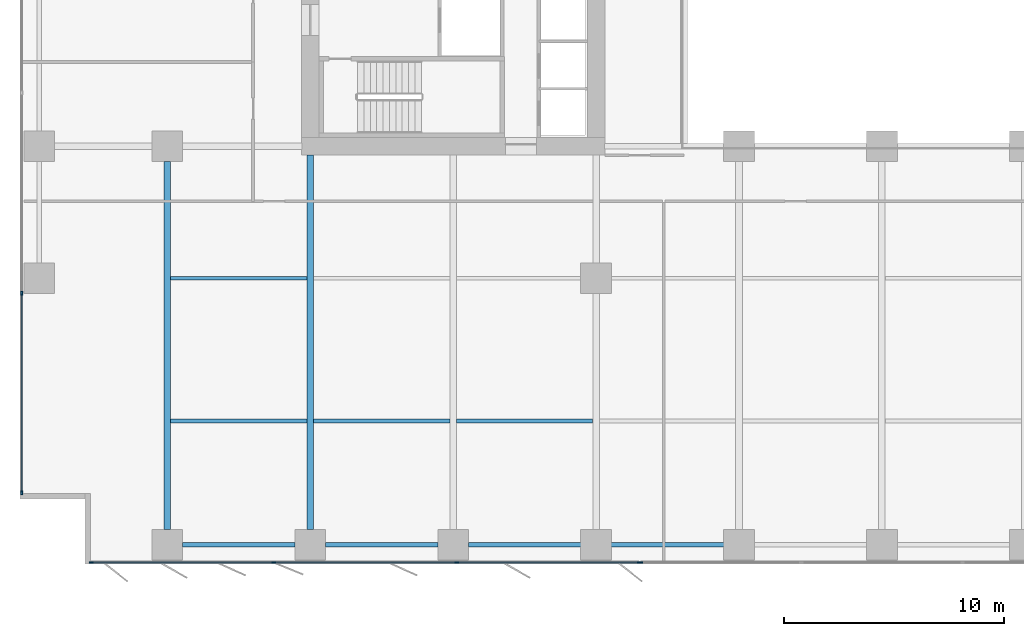
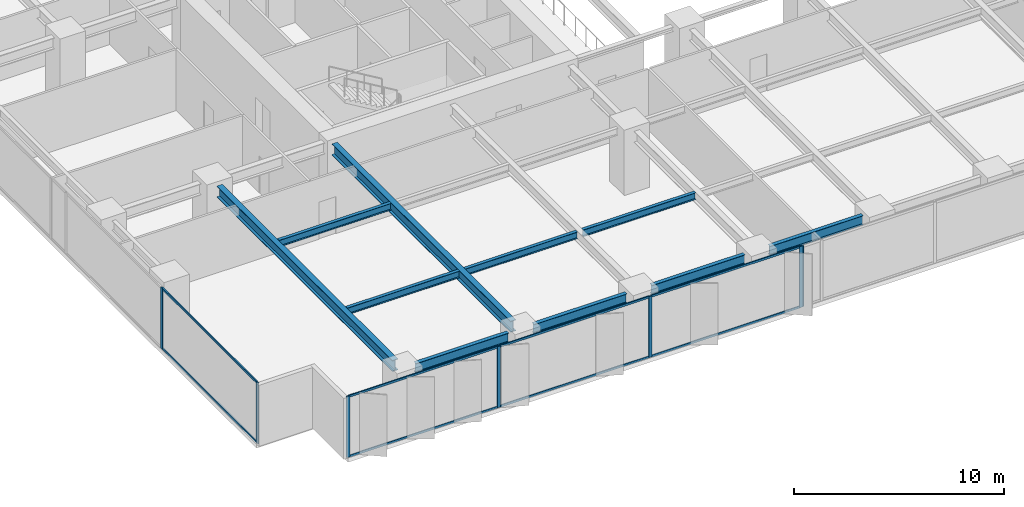
# One storey, part 2 of 20: 15 members, 10 beams, 3 elements without a shape of their own.
"""IFC4 building model written with IfcOpenShell, lengths in metres."""

from ifc_helpers import new_model, si_unit, direction, frame, origin, origin_2d, place, context, subcontext, project, spatial, rectangle, i_section, extrude, material, layer, layer_set, material_profile, profile_set, type_object, element, aggregate, save


model = new_model("IFC4")

# Units and contexts
model_context = context("Model", 3, precision=1e-05, world=origin(), true_north=direction((0.0, 1.0)))
body_context = subcontext(model_context, "Body", "Model", "MODEL_VIEW")
ifc_project = project(units=[si_unit("LENGTHUNIT", "METRE"), si_unit("AREAUNIT", "SQUARE_METRE"), si_unit("VOLUMEUNIT", "CUBIC_METRE"), si_unit("PLANEANGLEUNIT", "RADIAN"), si_unit("MASSUNIT", "GRAM", prefix="KILO")], contexts=[model_context])

# Site, building, storey
site_placement = place(None, origin())
site = spatial("IfcSite", under=ifc_project, at=site_placement, CompositionType="ELEMENT")
building_placement = place(site_placement, origin())
building = spatial("IfcBuilding", under=site, at=building_placement, Name="Putna Gate Headquarters", CompositionType="ELEMENT")
storey_placement = place(building_placement, frame((0.0, 0.0, 54.39990234375)))
storey = spatial("IfcBuildingStorey", under=building, at=storey_placement, Name="L12", CompositionType="ELEMENT", Elevation=54.39990234375)

# Beams
ifc_material_1 = material(Name="Steel S355J2", Category="steel")
ifc_material_profile_1 = material_profile(ifc_material_1, i_section(OverallWidth=0.300048828125, OverallDepth=0.64990234375, WebThickness=0.01611328125, FlangeThickness=0.031005859375, at=origin_2d()), Name="Steel S355J2")
ifc_profile_set_1 = profile_set([ifc_material_profile_1], Name="Steel S355J2")
beam_type_1 = type_object("IfcBeamType", Name="BM-GIRD-Z1-HEB650", PredefinedType="USERDEFINED", material=ifc_profile_set_1)
beam_1_placement = place(storey_placement, frame((6.5, 1.568115234375, 3.22509765625), z_axis=(0.0, 1.0, 0.0), x_axis=(-1.0, 0.0, 0.0)))
element("IfcBeam", 1, at=beam_1_placement, inside=storey, type_object=beam_type_1, Name="L12 South Primary Girder X6", ObjectType="GIRDER", PredefinedType="USERDEFINED", context=body_context, shape_type="SweptSolid", body=[
    extrude(i_section(OverallWidth=0.300048828125, OverallDepth=0.64990234375, WebThickness=0.01611328125, FlangeThickness=0.031005859375, at=origin_2d()), origin(), (0.0, 0.0, 1.0), 16.743896484375),
])
beam_2_placement = place(storey_placement, frame((13.0, 1.568115234375, 3.22509765625), z_axis=(0.0, 1.0, 0.0), x_axis=(-1.0, 0.0, 0.0)))
element("IfcBeam", 2, at=beam_2_placement, inside=storey, type_object=beam_type_1, Name="L12 South Primary Girder X13", ObjectType="GIRDER", PredefinedType="USERDEFINED", context=body_context, shape_type="SweptSolid", body=[
    extrude(i_section(OverallWidth=0.300048828125, OverallDepth=0.64990234375, WebThickness=0.01611328125, FlangeThickness=0.031005859375, at=origin_2d()), origin(), (0.0, 0.0, 1.0), 17.046875),
])
ifc_material_profile_2 = material_profile(ifc_material_1, i_section(OverallWidth=0.179931640625, OverallDepth=0.39990234375, WebThickness=0.008544921875, FlangeThickness=0.013427734375, at=origin_2d()), Name="Steel S355J2")
ifc_profile_set_2 = profile_set([ifc_material_profile_2], Name="Steel S355J2")
beam_type_2 = type_object("IfcBeamType", Name="BM-SEC-Z1-IPE400", PredefinedType="BEAM", material=ifc_profile_set_2)
for number, where, z_axis, x_axis, name in (
    (3, (6.654052734375, 6.5, 3.35009765625), (1.0, 0.0, 0.0), (0.0, 1.0, 0.0), "L12 South Secondary Beam 1"),
    (4, (6.654052734375, 13.0, 3.35009765625), (1.0, 0.0, 0.0), (0.0, 1.0, 0.0), "L12 South Secondary Beam 1"),
    (5, (13.154052734375, 6.5, 3.35009765625), (1.0, 0.0, 0.0), (0.0, 1.0, 0.0), "L12 South Secondary Beam 2"),
    (6, (19.654052734375, 6.5, 3.35009765625), (1.0, 0.0, 0.0), (0.0, 1.0, 0.0), "L12 South Secondary Beam 3"),
):
    element("IfcBeam", number, at=place(storey_placement, frame(where, z_axis=z_axis, x_axis=x_axis)), inside=storey, type_object=beam_type_2, Name=name, PredefinedType="BEAM", context=body_context, shape_type="SweptSolid", body=[
        extrude(i_section(OverallWidth=0.179931640625, OverallDepth=0.39990234375, WebThickness=0.008544921875, FlangeThickness=0.013427734375, at=origin_2d()), origin(), (0.0, 0.0, 1.0), 6.19189453125),
    ])
ifc_material_profile_3 = material_profile(ifc_material_1, i_section(OverallWidth=0.2099609375, OverallDepth=0.550048828125, WebThickness=0.010986328125, FlangeThickness=0.01708984375, at=origin_2d()), Name="Steel S355J2")
ifc_profile_set_3 = profile_set([ifc_material_profile_3], Name="Steel S355J2")
beam_type_3 = type_object("IfcBeamType", Name="BM-SPAN-Z1-IPE550", PredefinedType="SPANDREL", material=ifc_profile_set_3)
for number, where, z_axis, x_axis, name in (
    (7, (7.18798828125, 0.8798828125, 3.275146484375), (1.0, 0.0, 0.0), (0.0, 1.0, 0.0), "L12 S Perimeter Spandrel 1"),
    (8, (13.68798828125, 0.8798828125, 3.275146484375), (1.0, 0.0, 0.0), (0.0, 1.0, 0.0), "L12 S Perimeter Spandrel 2"),
    (9, (20.18798828125, 0.8798828125, 3.275146484375), (1.0, 0.0, 0.0), (0.0, 1.0, 0.0), "L12 S Perimeter Spandrel 3"),
    (10, (26.68798828125, 0.8798828125, 3.275146484375), (1.0, 0.0, 0.0), (0.0, 1.0, 0.0), "L12 S Perimeter Spandrel 4"),
):
    element("IfcBeam", number, at=place(storey_placement, frame(where, z_axis=z_axis, x_axis=x_axis)), inside=storey, type_object=beam_type_3, Name=name, PredefinedType="SPANDREL", context=body_context, shape_type="SweptSolid", body=[
        extrude(i_section(OverallWidth=0.2099609375, OverallDepth=0.550048828125, WebThickness=0.010986328125, FlangeThickness=0.01708984375, at=origin_2d()), origin(), (0.0, 0.0, 1.0), 5.1240234375),
    ])

# Curtain wall, members
ifc_material_2 = material(Name="Anodised bronze aluminium curtain wall", Category="aluminium")
ifc_layer_1 = layer(ifc_material_2, 0.179931640625)
ifc_layer_set_1 = layer_set([ifc_layer_1], Name="Anodised bronze aluminium curtain wall")
curtain_wall_type_1 = type_object("IfcCurtainWallType", Name="CW-SYS-Z1", PredefinedType="USERDEFINED", material=ifc_layer_set_1)
curtain_wall_1_placement = place(storey_placement, origin())
curtain_wall_1 = element("IfcCurtainWall", 11, at=curtain_wall_1_placement, inside=storey, type_object=curtain_wall_type_1, Name="L12 South West Curtain Wall", ObjectType="STICK CURTAIN WALL", PredefinedType="USERDEFINED")
ifc_material_3 = material(Name="Anodised bronze aluminium EN AW-6060", Category="aluminium")
ifc_material_profile_4 = material_profile(ifc_material_3, rectangle(XDim=0.070068359375, YDim=0.179931640625, at=origin_2d()), Name="Anodised bronze aluminium EN AW-6060")
ifc_profile_set_4 = profile_set([ifc_material_profile_4], Name="Anodised bronze aluminium EN AW-6060")
member_type_1 = type_object("IfcMemberType", Name="MULL-CWM-1", PredefinedType="MULLION", material=ifc_profile_set_4)
member_1_placement = place(storey_placement, frame((3.034912109375, 0.080078125, 0.0), z_axis=(0.0, 0.0, 1.0), x_axis=(0.0, 1.0, 0.0)))
member_1 = element("IfcMember", 12, at=member_1_placement, type_object=member_type_1, Name="CWS-1 mullion 1", PredefinedType="MULLION", context=body_context, shape_type="SweptSolid", body=[
    extrude(rectangle(XDim=0.070068359375, YDim=0.179931640625, at=origin_2d()), origin(), (0.0, 0.0, 1.0), 3.550048828125),
])
member_2_placement = place(storey_placement, frame((11.333251953125, 0.080078125, 0.0), z_axis=(0.0, 0.0, 1.0), x_axis=(0.0, 1.0, 0.0)))
member_2 = element("IfcMember", 13, at=member_2_placement, type_object=member_type_1, Name="CWS-1 mullion 2", PredefinedType="MULLION", context=body_context, shape_type="SweptSolid", body=[
    extrude(rectangle(XDim=0.070068359375, YDim=0.179931640625, at=origin_2d()), origin(), (0.0, 0.0, 1.0), 3.550048828125),
])
member_3_placement = place(storey_placement, frame((19.666748046875, 0.080078125, 0.0), z_axis=(0.0, 0.0, 1.0), x_axis=(0.0, 1.0, 0.0)))
member_3 = element("IfcMember", 14, at=member_3_placement, type_object=member_type_1, Name="CWS-1 mullion 3", PredefinedType="MULLION", context=body_context, shape_type="SweptSolid", body=[
    extrude(rectangle(XDim=0.070068359375, YDim=0.179931640625, at=origin_2d()), origin(), (0.0, 0.0, 1.0), 3.550048828125),
])
member_4_placement = place(storey_placement, frame((27.965087890625, 0.080078125, 0.0), z_axis=(0.0, 0.0, 1.0), x_axis=(0.0, 1.0, 0.0)))
member_4 = element("IfcMember", 15, at=member_4_placement, type_object=member_type_1, Name="CWS-1 mullion 4", PredefinedType="MULLION", context=body_context, shape_type="SweptSolid", body=[
    extrude(rectangle(XDim=0.070068359375, YDim=0.179931640625, at=origin_2d()), origin(), (0.0, 0.0, 1.0), 3.550048828125),
])

curtain_wall_2_placement = place(storey_placement, origin())
curtain_wall_2 = element("IfcCurtainWall", 16, at=curtain_wall_2_placement, inside=storey, type_object=curtain_wall_type_1, Name="L12 West Curtain Wall", ObjectType="STICK CURTAIN WALL", PredefinedType="USERDEFINED")
member_5_placement = place(storey_placement, frame((-0.1201171875, 3.235107421875, 0.0), z_axis=(0.0, 0.0, 1.0), x_axis=(-1.0, 0.0, 0.0)))
member_5 = element("IfcMember", 17, at=member_5_placement, type_object=member_type_1, Name="CWS-1 mullion 1", PredefinedType="MULLION", context=body_context, shape_type="SweptSolid", body=[
    extrude(rectangle(XDim=0.070068359375, YDim=0.179931640625, at=origin_2d()), origin(), (0.0, 0.0, 1.0), 3.550048828125),
])
member_6_placement = place(storey_placement, frame((-0.1201171875, 12.320068359375, 0.0), z_axis=(0.0, 0.0, 1.0), x_axis=(-1.0, 0.0, 0.0)))
member_6 = element("IfcMember", 18, at=member_6_placement, type_object=member_type_1, Name="CWS-1 mullion 2", PredefinedType="MULLION", context=body_context, shape_type="SweptSolid", body=[
    extrude(rectangle(XDim=0.070068359375, YDim=0.179931640625, at=origin_2d()), origin(), (0.0, 0.0, 1.0), 3.550048828125),
])

# Curtain wall, member
ifc_layer_2 = layer(ifc_material_2, 0.179931640625)
ifc_layer_set_2 = layer_set([ifc_layer_2], Name="Anodised bronze aluminium curtain wall")
curtain_wall_type_2 = type_object("IfcCurtainWallType", Name="CW-SYS-ATR", PredefinedType="USERDEFINED", material=ifc_layer_set_2)
curtain_wall_3_placement = place(storey_placement, origin())
curtain_wall_3 = element("IfcCurtainWall", 19, at=curtain_wall_3_placement, inside=storey, type_object=curtain_wall_type_2, Name="L12 South Atrium Clear Glazing", ObjectType="ATRIUM GLAZING", PredefinedType="USERDEFINED")
ifc_material_profile_5 = material_profile(ifc_material_3, rectangle(XDim=0.070068359375, YDim=0.179931640625, at=origin_2d()), Name="Anodised bronze aluminium EN AW-6060")
ifc_profile_set_5 = profile_set([ifc_material_profile_5], Name="Anodised bronze aluminium EN AW-6060")
member_type_2 = type_object("IfcMemberType", Name="MULL-CWM-AT", PredefinedType="MULLION", material=ifc_profile_set_5)
member_7_placement = place(storey_placement, frame((28.034912109375, 0.080078125, 0.0), z_axis=(0.0, 0.0, 1.0), x_axis=(0.0, 1.0, 0.0)))
member_7 = element("IfcMember", 20, at=member_7_placement, type_object=member_type_2, Name="CWS-AT mullion 1", PredefinedType="MULLION", context=body_context, shape_type="SweptSolid", body=[
    extrude(rectangle(XDim=0.070068359375, YDim=0.179931640625, at=origin_2d()), origin(), (0.0, 0.0, 1.0), 3.550048828125),
])
aggregate(curtain_wall_3, [member_7])

# Member
ifc_material_profile_6 = material_profile(ifc_material_3, rectangle(XDim=0.06494140625, YDim=0.1201171875, at=origin_2d()), Name="Anodised bronze aluminium EN AW-6060")
ifc_profile_set_6 = profile_set([ifc_material_profile_6], Name="Anodised bronze aluminium EN AW-6060")
member_type_3 = type_object("IfcMemberType", Name="TRAN-CWT-1", PredefinedType="USERDEFINED", material=ifc_profile_set_6)
member_8_placement = place(storey_placement, frame((3.070068359375, 0.080078125, 0.03271484375), z_axis=(1.0, 0.0, 0.0), x_axis=(0.0, 1.0, 0.0)))
member_8 = element("IfcMember", 21, at=member_8_placement, type_object=member_type_3, Name="CWS-1 transom 1.1", ObjectType="TRANSOM", PredefinedType="USERDEFINED", context=body_context, shape_type="SweptSolid", body=[
    extrude(rectangle(XDim=0.06494140625, YDim=0.1201171875, at=origin_2d()), origin(), (0.0, 0.0, 1.0), 8.228271484375),
])

member_9_placement = place(storey_placement, frame((3.070068359375, 0.080078125, 3.517578125), z_axis=(1.0, 0.0, 0.0), x_axis=(0.0, 1.0, 0.0)))
member_9 = element("IfcMember", 22, at=member_9_placement, type_object=member_type_3, Name="CWS-1 transom 1.2", ObjectType="TRANSOM", PredefinedType="USERDEFINED", context=body_context, shape_type="SweptSolid", body=[
    extrude(rectangle(XDim=0.06494140625, YDim=0.1201171875, at=origin_2d()), origin(), (0.0, 0.0, 1.0), 8.228271484375),
])

member_10_placement = place(storey_placement, frame((11.368408203125, 0.080078125, 0.03271484375), z_axis=(1.0, 0.0, 0.0), x_axis=(0.0, 1.0, 0.0)))
member_10 = element("IfcMember", 23, at=member_10_placement, type_object=member_type_3, Name="CWS-1 transom 2.1", ObjectType="TRANSOM", PredefinedType="USERDEFINED", context=body_context, shape_type="SweptSolid", body=[
    extrude(rectangle(XDim=0.06494140625, YDim=0.1201171875, at=origin_2d()), origin(), (0.0, 0.0, 1.0), 8.26318359375),
])

member_11_placement = place(storey_placement, frame((11.368408203125, 0.080078125, 3.517578125), z_axis=(1.0, 0.0, 0.0), x_axis=(0.0, 1.0, 0.0)))
member_11 = element("IfcMember", 24, at=member_11_placement, type_object=member_type_3, Name="CWS-1 transom 2.2", ObjectType="TRANSOM", PredefinedType="USERDEFINED", context=body_context, shape_type="SweptSolid", body=[
    extrude(rectangle(XDim=0.06494140625, YDim=0.1201171875, at=origin_2d()), origin(), (0.0, 0.0, 1.0), 8.26318359375),
])

member_12_placement = place(storey_placement, frame((19.70166015625, 0.080078125, 0.03271484375), z_axis=(1.0, 0.0, 0.0), x_axis=(0.0, 1.0, 0.0)))
member_12 = element("IfcMember", 25, at=member_12_placement, type_object=member_type_3, Name="CWS-1 transom 3.1", ObjectType="TRANSOM", PredefinedType="USERDEFINED", context=body_context, shape_type="SweptSolid", body=[
    extrude(rectangle(XDim=0.06494140625, YDim=0.1201171875, at=origin_2d()), origin(), (0.0, 0.0, 1.0), 8.228271484375),
])

member_13_placement = place(storey_placement, frame((19.70166015625, 0.080078125, 3.517578125), z_axis=(1.0, 0.0, 0.0), x_axis=(0.0, 1.0, 0.0)))
member_13 = element("IfcMember", 26, at=member_13_placement, type_object=member_type_3, Name="CWS-1 transom 3.2", ObjectType="TRANSOM", PredefinedType="USERDEFINED", context=body_context, shape_type="SweptSolid", body=[
    extrude(rectangle(XDim=0.06494140625, YDim=0.1201171875, at=origin_2d()), origin(), (0.0, 0.0, 1.0), 8.228271484375),
])

aggregate(curtain_wall_1, [member_1, member_2, member_3, member_4, member_8, member_9, member_10, member_11, member_12, member_13])

member_14_placement = place(storey_placement, frame((-0.1201171875, 3.27001953125, 0.03271484375), z_axis=(0.0, 1.0, 0.0), x_axis=(-1.0, 0.0, 0.0)))
member_14 = element("IfcMember", 27, at=member_14_placement, type_object=member_type_3, Name="CWS-1 transom 1.1", ObjectType="TRANSOM", PredefinedType="USERDEFINED", context=body_context, shape_type="SweptSolid", body=[
    extrude(rectangle(XDim=0.06494140625, YDim=0.1201171875, at=origin_2d()), origin(), (0.0, 0.0, 1.0), 9.014892578125),
])

member_15_placement = place(storey_placement, frame((-0.1201171875, 3.27001953125, 3.517578125), z_axis=(0.0, 1.0, 0.0), x_axis=(-1.0, 0.0, 0.0)))
member_15 = element("IfcMember", 28, at=member_15_placement, type_object=member_type_3, Name="CWS-1 transom 1.2", ObjectType="TRANSOM", PredefinedType="USERDEFINED", context=body_context, shape_type="SweptSolid", body=[
    extrude(rectangle(XDim=0.06494140625, YDim=0.1201171875, at=origin_2d()), origin(), (0.0, 0.0, 1.0), 9.014892578125),
])

aggregate(curtain_wall_2, [member_5, member_6, member_14, member_15])

save(model, "model.ifc")
